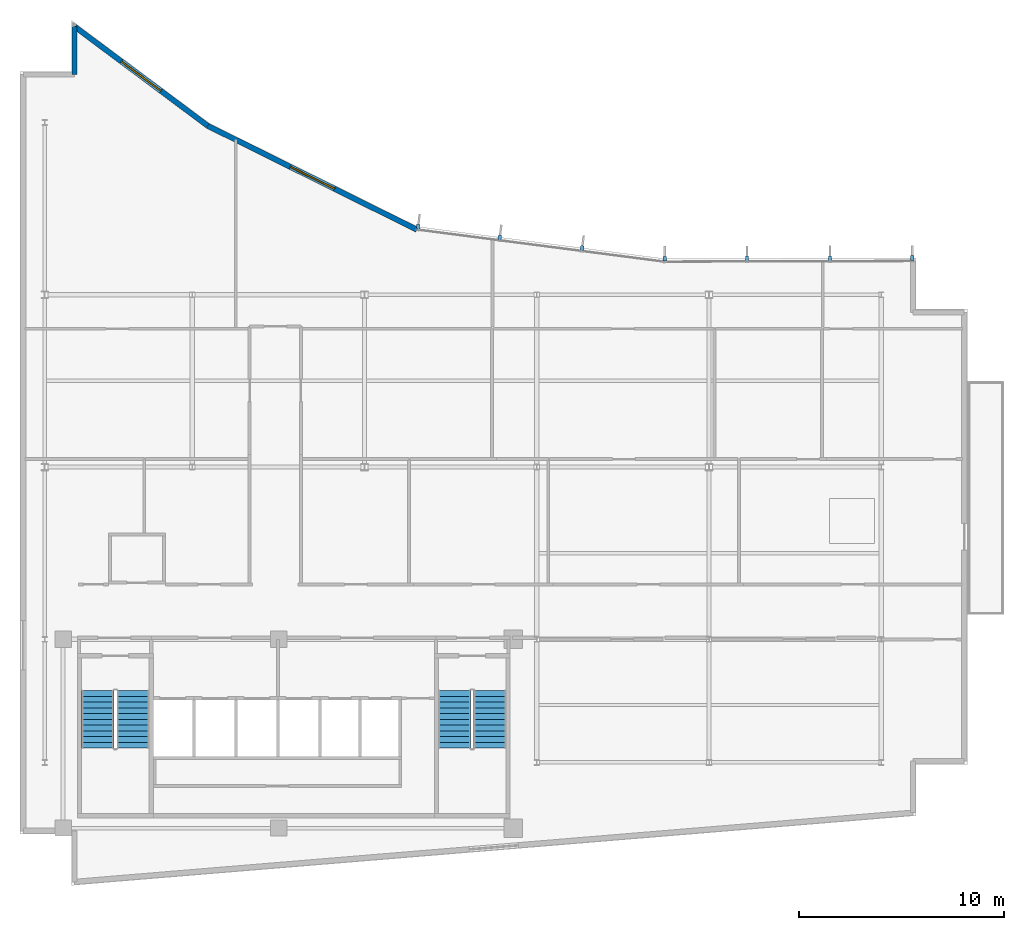
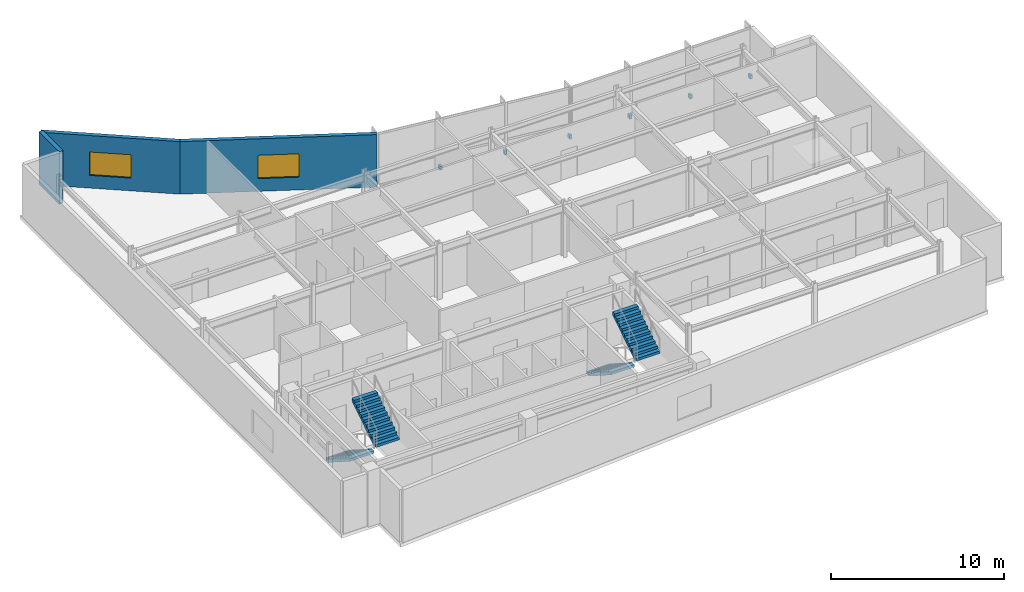
# One storey, part 12 of 15: 7 discrete accessories, 4 stair flights, 3 walls, 2 windows, 2 openings, 2 elements without a shape of their own.
"""IFC4 building model written with IfcOpenShell, lengths in metres."""

from ifc_helpers import new_model, si_unit, direction, frame, frame_2d, origin, origin_2d, place, context, subcontext, project, spatial, polyline, rectangle, outline, extrude, material, layer, layer_set, type_object, element, fill, aggregate, save


model = new_model("IFC4")

# Units and contexts
model_context = context("Model", 3, precision=1e-05, world=origin(), true_north=direction((0.0, 1.0)))
body_context = subcontext(model_context, "Body", "Model", "MODEL_VIEW")
ifc_project = project(units=[si_unit("LENGTHUNIT", "METRE"), si_unit("AREAUNIT", "SQUARE_METRE"), si_unit("VOLUMEUNIT", "CUBIC_METRE"), si_unit("PLANEANGLEUNIT", "RADIAN"), si_unit("MASSUNIT", "GRAM", prefix="KILO")], contexts=[model_context])

# Site, building, storey
site_placement = place(None, origin())
site = spatial("IfcSite", under=ifc_project, at=site_placement, CompositionType="ELEMENT")
building_placement = place(site_placement, origin())
building = spatial("IfcBuilding", under=site, at=building_placement, Name="Varnakote Quay Hospital", CompositionType="ELEMENT")
storey_placement = place(building_placement, frame((0.0, 0.0, 248.64990234375)))
storey = spatial("IfcBuildingStorey", under=building, at=storey_placement, Name="L61", CompositionType="ELEMENT", Elevation=248.64990234375)

# Wall, opening, window
ifc_material_1 = material(Name="Precast concrete N50 (f'c 50 MPa)", Category="concrete")
ifc_layer_1 = layer(ifc_material_1, 0.260009765625)
ifc_layer_set_1 = layer_set([ifc_layer_1], Name="Precast concrete N50 (f'c 50 MPa)")
wall_type = type_object("IfcWallType", Name="WL-EXT-BRICK-260", PredefinedType="STANDARD", material=ifc_layer_set_1)
wall_1_placement = place(storey_placement, frame((19.356689453125, 31.972900390625, 0.0), z_axis=(0.0, 0.0, 1.0), x_axis=(-0.895624365378, 0.444811191565, 0.0)))
wall_1 = element("IfcWall", 1, at=wall_1_placement, inside=storey, type_object=wall_type, Name="L61 Brick-Faced Precast Exterior Wall", PredefinedType="STANDARD", context=body_context, shape_type="SweptSolid", body=[
    extrude(rectangle(XDim=11.389404296875, YDim=0.260009765625, at=frame_2d((5.69482421875, 0.0))), origin(), (0.0, 0.0, 1.0), 3.710205078125),
])
opening_1_placement = place(wall_1_placement, frame((4.494873046875, 0.0, 0.89990234375)))
opening_1 = element("IfcOpeningElement", 2, at=opening_1_placement, cuts=wall_1, Name="Opening WN-0247", PredefinedType="OPENING", context=body_context, shape_type="SweptSolid", body=[
    extrude(rectangle(XDim=2.39990234375, YDim=1.64990234375, at=frame_2d((1.199951171875, 0.824951171875))), frame((0.0, 0.139892578125, 0.0), z_axis=(0.0, -1.0, 0.0), x_axis=(1.0, 0.0, 0.0)), (0.0, 0.0, 1.0), 0.280029296875),
])
ifc_material_2 = material(Name="Double-glazed low-E solar glass", Category="glass")
window_type = type_object("IfcWindowType", Name="WIN-CLIN-2400x1650", PartitioningType="SINGLE_PANEL", PredefinedType="WINDOW", material=ifc_material_2)
window_1_placement = place(opening_1_placement, origin())
window_1 = element("IfcWindow", 3, at=window_1_placement, inside=storey, type_object=window_type, Name="L61 Solar-Control Clinical Window", OverallHeight=1.64990234375, OverallWidth=2.39990234375, PartitioningType="SINGLE_PANEL", PredefinedType="WINDOW", context=body_context, shape_type="SweptSolid", body=[
    extrude(rectangle(XDim=2.39990234375, YDim=1.64990234375, at=frame_2d((1.199951171875, 0.824951171875))), frame((0.0, 0.030029296875, 0.0), z_axis=(0.0, -1.0, 0.0), x_axis=(1.0, 0.0, 0.0)), (0.0, 0.0, 1.0), 0.06005859375),
])
fill(opening_1, window_1)

wall_2_placement = place(storey_placement, frame((9.156005859375, 37.0390625, 0.0), z_axis=(0.0, 0.0, 1.0), x_axis=(-0.801775528243, 0.597625302602, 0.0)))
wall_2 = element("IfcWall", 4, at=wall_2_placement, inside=storey, type_object=wall_type, Name="L61 Brick-Faced Precast Exterior Wall", PredefinedType="STANDARD", context=body_context, shape_type="SweptSolid", body=[
    extrude(rectangle(XDim=8.10205078125, YDim=0.260009765625, at=frame_2d((4.051025390625, 0.0))), origin(), (0.0, 0.0, 1.0), 3.710205078125),
])
opening_2_placement = place(wall_2_placement, frame((2.85107421875, 0.0, 0.89990234375)))
opening_2 = element("IfcOpeningElement", 5, at=opening_2_placement, cuts=wall_2, Name="Opening WN-0248", PredefinedType="OPENING", context=body_context, shape_type="SweptSolid", body=[
    extrude(rectangle(XDim=2.39990234375, YDim=1.64990234375, at=frame_2d((1.199951171875, 0.824951171875))), frame((0.0, 0.139892578125, 0.0), z_axis=(0.0, -1.0, 0.0), x_axis=(1.0, 0.0, 0.0)), (0.0, 0.0, 1.0), 0.280029296875),
])
window_2_placement = place(opening_2_placement, origin())
window_2 = element("IfcWindow", 6, at=window_2_placement, inside=storey, type_object=window_type, Name="L61 Solar-Control Clinical Window", OverallHeight=1.64990234375, OverallWidth=2.39990234375, PartitioningType="SINGLE_PANEL", PredefinedType="WINDOW", context=body_context, shape_type="SweptSolid", body=[
    extrude(rectangle(XDim=2.39990234375, YDim=1.64990234375, at=frame_2d((1.199951171875, 0.824951171875))), frame((0.0, 0.030029296875, 0.0), z_axis=(0.0, -1.0, 0.0), x_axis=(1.0, 0.0, 0.0)), (0.0, 0.0, 1.0), 0.06005859375),
])
fill(opening_2, window_2)

# Wall
wall_3_placement = place(storey_placement, frame((2.659912109375, 41.881103515625, 0.0), z_axis=(0.0, 0.0, 1.0), x_axis=(0.0, -1.0, 0.0)))
element("IfcWall", 7, at=wall_3_placement, inside=storey, type_object=wall_type, Name="L61 Brick-Faced Precast Exterior Wall", PredefinedType="STANDARD", context=body_context, shape_type="SweptSolid", body=[
    extrude(rectangle(XDim=2.341064453125, YDim=0.260009765625, at=frame_2d((1.17041015625, 0.0))), origin(), (0.0, 0.0, 1.0), 3.710205078125),
])

# Stair, stair flights
ifc_material_3 = material(Name="Concrete N40 (f'c 40 MPa)", Category="concrete")
stair_type = type_object("IfcStairType", Name="STR-CORE-1580", PredefinedType="HALF_TURN_STAIR", material=ifc_material_3)
stair_1_placement = place(storey_placement, origin())
stair_1 = element("IfcStair", 8, at=stair_1_placement, inside=storey, type_object=stair_type, Name="L61 Fire-Isolated Exit Stair ST-01", PredefinedType="HALF_TURN_STAIR")
ifc_material_4 = material(Name="Concrete N40 (f'c 40 MPa)", Category="concrete")
ifc_layer_2 = layer(ifc_material_4, 0.159912109375)
ifc_layer_set_2 = layer_set([ifc_layer_2], Name="Concrete N40 (f'c 40 MPa)")
stair_flight_type = type_object("IfcStairFlightType", Name="FLT-CORE-1580", PredefinedType="STRAIGHT", material=ifc_layer_set_2)
stair_flight_1_placement = place(storey_placement, frame((3.7900390625, 9.5, 0.0), z_axis=(0.0, 0.0, 1.0), x_axis=(0.0, -1.0, 0.0)))
stair_flight_1 = element("IfcStairFlight", 9, at=stair_flight_1_placement, type_object=stair_flight_type, Name="ST-01 flight 1", NumberOfRisers=11, NumberOfTreads=10, PredefinedType="STRAIGHT", RiserHeight=0.179545455, TreadLength=0.28, context=body_context, shape_type="SweptSolid", body=[
    extrude(outline(polyline([(0.0, 0.0), (0.0, 0.179443359375), (0.280029296875, 0.179443359375), (0.280029296875, 0.359130859375), (0.56005859375, 0.359130859375), (0.56005859375, 0.53857421875), (0.840087890625, 0.53857421875), (0.840087890625, 0.71826171875), (1.1201171875, 0.71826171875), (1.1201171875, 0.897705078125), (1.39990234375, 0.897705078125), (1.39990234375, 1.077392578125), (1.679931640625, 1.077392578125), (1.679931640625, 1.2568359375), (1.9599609375, 1.2568359375), (1.9599609375, 1.436279296875), (2.239990234375, 1.436279296875), (2.239990234375, 1.615966796875), (2.52001953125, 1.615966796875), (2.52001953125, 1.79541015625), (2.800048828125, 1.79541015625), (2.800048828125, 1.97509765625), (2.800048828125, 1.60546875), (0.296142578125, 0.0), (0.0, 0.0)])), frame((0.0, 0.7900390625, 0.0), z_axis=(0.0, -1.0, 0.0), x_axis=(1.0, 0.0, 0.0)), (0.0, 0.0, 1.0), 1.580078125),
])
stair_flight_2_placement = place(storey_placement, frame((5.510009765625, 6.699951171875, 1.97509765625), z_axis=(0.0, 0.0, 1.0), x_axis=(0.0, 1.0, 0.0)))
stair_flight_2 = element("IfcStairFlight", 10, at=stair_flight_2_placement, type_object=stair_flight_type, Name="ST-01 flight 2", NumberOfRisers=11, NumberOfTreads=10, PredefinedType="STRAIGHT", RiserHeight=0.179545455, TreadLength=0.28, context=body_context, shape_type="SweptSolid", body=[
    extrude(outline(polyline([(0.0, 0.0), (0.0, 0.179443359375), (0.280029296875, 0.179443359375), (0.280029296875, 0.359130859375), (0.56005859375, 0.359130859375), (0.56005859375, 0.53857421875), (0.840087890625, 0.53857421875), (0.840087890625, 0.71826171875), (1.1201171875, 0.71826171875), (1.1201171875, 0.897705078125), (1.39990234375, 0.897705078125), (1.39990234375, 1.077392578125), (1.679931640625, 1.077392578125), (1.679931640625, 1.2568359375), (1.9599609375, 1.2568359375), (1.9599609375, 1.436279296875), (2.239990234375, 1.436279296875), (2.239990234375, 1.615966796875), (2.52001953125, 1.615966796875), (2.52001953125, 1.79541015625), (2.800048828125, 1.79541015625), (2.800048828125, 1.97509765625), (2.800048828125, 1.60546875), (0.296142578125, 0.0), (0.0, 0.0)])), frame((0.0, 0.7900390625, 0.0), z_axis=(0.0, -1.0, 0.0), x_axis=(1.0, 0.0, 0.0)), (0.0, 0.0, 1.0), 1.580078125),
])
aggregate(stair_1, [stair_flight_1, stair_flight_2])

stair_2_placement = place(storey_placement, origin())
stair_2 = element("IfcStair", 11, at=stair_2_placement, inside=storey, type_object=stair_type, Name="L61 Fire-Isolated Exit Stair ST-02", PredefinedType="HALF_TURN_STAIR")
stair_flight_3_placement = place(storey_placement, frame((21.18994140625, 9.5, 0.0), z_axis=(0.0, 0.0, 1.0), x_axis=(0.0, -1.0, 0.0)))
stair_flight_3 = element("IfcStairFlight", 12, at=stair_flight_3_placement, type_object=stair_flight_type, Name="ST-02 flight 1", NumberOfRisers=11, NumberOfTreads=10, PredefinedType="STRAIGHT", RiserHeight=0.179545455, TreadLength=0.28, context=body_context, shape_type="SweptSolid", body=[
    extrude(outline(polyline([(0.0, 0.0), (0.0, 0.179443359375), (0.280029296875, 0.179443359375), (0.280029296875, 0.359130859375), (0.56005859375, 0.359130859375), (0.56005859375, 0.53857421875), (0.840087890625, 0.53857421875), (0.840087890625, 0.71826171875), (1.1201171875, 0.71826171875), (1.1201171875, 0.897705078125), (1.39990234375, 0.897705078125), (1.39990234375, 1.077392578125), (1.679931640625, 1.077392578125), (1.679931640625, 1.2568359375), (1.9599609375, 1.2568359375), (1.9599609375, 1.436279296875), (2.239990234375, 1.436279296875), (2.239990234375, 1.615966796875), (2.52001953125, 1.615966796875), (2.52001953125, 1.79541015625), (2.800048828125, 1.79541015625), (2.800048828125, 1.97509765625), (2.800048828125, 1.60546875), (0.296142578125, 0.0), (0.0, 0.0)])), frame((0.0, 0.7900390625, 0.0), z_axis=(0.0, -1.0, 0.0), x_axis=(1.0, 0.0, 0.0)), (0.0, 0.0, 1.0), 1.580078125),
])
stair_flight_4_placement = place(storey_placement, frame((22.909912109375, 6.699951171875, 1.97509765625), z_axis=(0.0, 0.0, 1.0), x_axis=(0.0, 1.0, 0.0)))
stair_flight_4 = element("IfcStairFlight", 13, at=stair_flight_4_placement, type_object=stair_flight_type, Name="ST-02 flight 2", NumberOfRisers=11, NumberOfTreads=10, PredefinedType="STRAIGHT", RiserHeight=0.179545455, TreadLength=0.28, context=body_context, shape_type="SweptSolid", body=[
    extrude(outline(polyline([(0.0, 0.0), (0.0, 0.179443359375), (0.280029296875, 0.179443359375), (0.280029296875, 0.359130859375), (0.56005859375, 0.359130859375), (0.56005859375, 0.53857421875), (0.840087890625, 0.53857421875), (0.840087890625, 0.71826171875), (1.1201171875, 0.71826171875), (1.1201171875, 0.897705078125), (1.39990234375, 0.897705078125), (1.39990234375, 1.077392578125), (1.679931640625, 1.077392578125), (1.679931640625, 1.2568359375), (1.9599609375, 1.2568359375), (1.9599609375, 1.436279296875), (2.239990234375, 1.436279296875), (2.239990234375, 1.615966796875), (2.52001953125, 1.615966796875), (2.52001953125, 1.79541015625), (2.800048828125, 1.79541015625), (2.800048828125, 1.97509765625), (2.800048828125, 1.60546875), (0.296142578125, 0.0), (0.0, 0.0)])), frame((0.0, 0.7900390625, 0.0), z_axis=(0.0, -1.0, 0.0), x_axis=(1.0, 0.0, 0.0)), (0.0, 0.0, 1.0), 1.580078125),
])
aggregate(stair_2, [stair_flight_3, stair_flight_4])

# Discrete accessories
ifc_material_5 = material(Name="Anodised aluminium 6063-T6 Bronze", Category="aluminium")
discrete_accessory_type = type_object("IfcDiscreteAccessoryType", Name="ACC-FIN-BRACKET-180", PredefinedType="BRACKET", material=ifc_material_5)
for number, where, z_axis, x_axis, name in (
    (14, (43.507080078125, 30.589599609375, 0.0), (0.0, 0.0, 1.0), (-0.999996573056, -0.002617990887, 0.0), "L61 Curtain Wall Fin Fixing Bracket"),
    (15, (39.494873046875, 30.5791015625, 0.0), (0.0, 0.0, 1.0), (-0.999996573056, -0.002617990887, 0.0), "L61 Curtain Wall Fin Fixing Bracket"),
    (16, (35.4501953125, 30.568603515625, 0.0), (0.0, 0.0, 1.0), (-0.999996573056, -0.002617990887, 0.0), "L61 Curtain Wall Fin Fixing Bracket"),
    (17, (31.43798828125, 30.55810546875, 0.0), (0.0, 0.0, 1.0), (-0.999996573056, -0.002617990887, 0.0), "L61 Curtain Wall Fin Fixing Bracket"),
    (18, (27.408935546875, 31.078369140625, 0.0), (0.0, 0.0, 1.0), (-0.991671162383, 0.128795596578, 0.0), "L61 Curtain Wall Fin Fixing Bracket"),
    (19, (23.392578125, 31.60009765625, 0.0), (0.0, 0.0, 1.0), (-0.991671162383, 0.128795596578, 0.0), "L61 Curtain Wall Fin Fixing Bracket"),
    (20, (19.408203125, 32.117431640625, 0.0), (0.0, 0.0, 1.0), (-0.991671162383, 0.128795596578, 0.0), "L61 Curtain Wall Fin Fixing Bracket"),
):
    element("IfcDiscreteAccessory", number, at=place(storey_placement, frame(where, z_axis=z_axis, x_axis=x_axis)), inside=storey, type_object=discrete_accessory_type, Name=name, PredefinedType="BRACKET", context=body_context, shape_type="SweptSolid", body=[
        extrude(rectangle(XDim=0.159912109375, YDim=0.239990234375, at=origin_2d()), origin(), (0.0, 0.0, 1.0), 0.280029296875),
    ])

save(model, "model.ifc")
